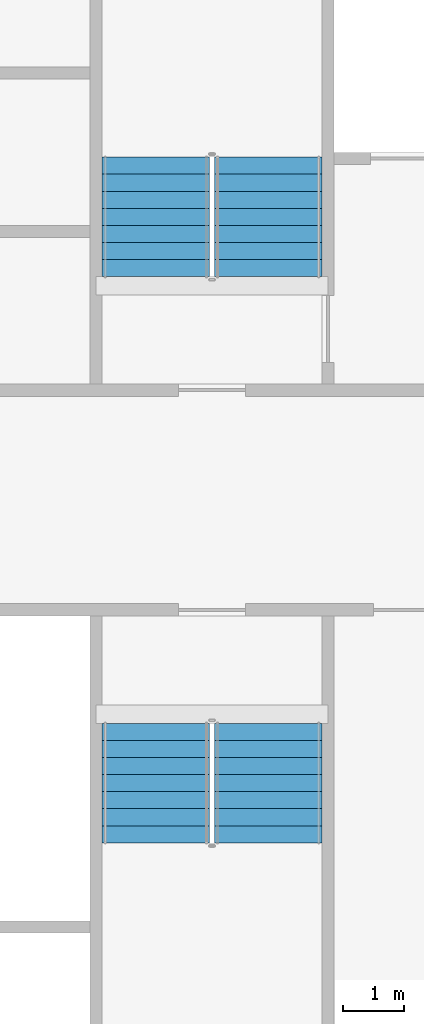
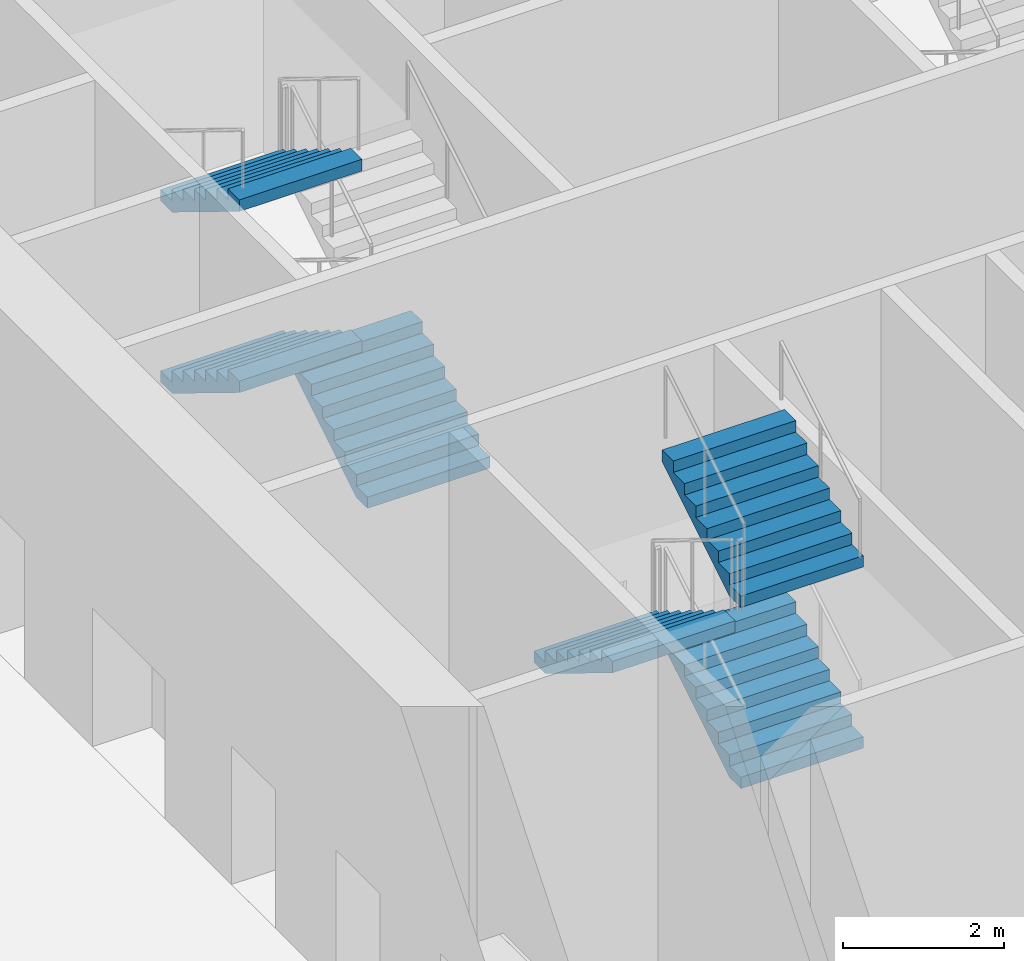
# One storey, part 14 of 23: 6 stair flights, 2 elements without a shape of their own.
"""IFC4 building model written with IfcOpenShell, lengths in metres."""

from ifc_helpers import new_model, si_unit, direction, frame, origin, place, context, subcontext, project, spatial, faceted_brep, material, type_object, element, aggregate, save


model = new_model("IFC4")

# Units and contexts
model_context = context("Model", 3, precision=1e-05, world=origin(), true_north=direction((0.0, 1.0)))
body_context = subcontext(model_context, "Body", "Model", "MODEL_VIEW")
ifc_project = project(units=[si_unit("LENGTHUNIT", "METRE"), si_unit("AREAUNIT", "SQUARE_METRE"), si_unit("VOLUMEUNIT", "CUBIC_METRE"), si_unit("PLANEANGLEUNIT", "RADIAN"), si_unit("MASSUNIT", "GRAM", prefix="KILO")], contexts=[model_context])

# Site, building, storey
site_placement = place(None, origin())
site = spatial("IfcSite", under=ifc_project, at=site_placement, CompositionType="ELEMENT")
building_placement = place(site_placement, origin())
building = spatial("IfcBuilding", under=site, at=building_placement, Name="Tarsis Ring Headquarters", CompositionType="ELEMENT")
storey_placement = place(building_placement, frame((0.0, 0.0, 19.5)))
storey = spatial("IfcBuildingStorey", under=building, at=storey_placement, Name="L03", CompositionType="ELEMENT", Elevation=19.5)

# Stair, stair flights
ifc_material_1 = material(Name="Core stair 1760")
stair_type = type_object("IfcStairType", Name="Core stair 1760", PredefinedType="HALF_TURN_STAIR", material=ifc_material_1)
stair_1_placement = place(storey_placement, origin())
stair_1 = element("IfcStair", 1, at=stair_1_placement, inside=storey, type_object=stair_type, Name="L03 Firefighting stair", PredefinedType="HALF_TURN_STAIR")
ifc_material_2 = material(Name="Concrete C40/50", Category="concrete")
stair_flight_type = type_object("IfcStairFlightType", Name="Core stair flight 1760", PredefinedType="STRAIGHT", material=ifc_material_2)
stair_flight_1_placement = place(storey_placement, frame((-3.580078125, 3.659912109375, 0.0), z_axis=(0.0, 0.0, 1.0), x_axis=(0.0, 1.0, 0.0)))
stair_flight_1 = element("IfcStairFlight", 2, at=stair_flight_1_placement, type_object=stair_flight_type, Name="Stair ST1 flight 1", NumberOfRisers=8, NumberOfTreads=7, PredefinedType="STRAIGHT", RiserHeight=0.171875, TreadLength=0.28, context=body_context, shape_type="Brep", body=[
    faceted_brep([(0.0, 0.8798828125, 0.0), (0.0, 0.8798828125, 0.171875), (0.280029296875, 0.8798828125, 0.171875), (0.280029296875, 0.8798828125, 0.34375), (0.56005859375, 0.8798828125, 0.34375), (0.56005859375, 0.8798828125, 0.515625), (0.840087890625, 0.8798828125, 0.515625), (0.840087890625, 0.8798828125, 0.6875), (1.1201171875, 0.8798828125, 0.6875), (1.1201171875, 0.8798828125, 0.859375), (1.39990234375, 0.8798828125, 0.859375), (1.39990234375, 0.8798828125, 1.03125), (1.679931640625, 0.8798828125, 1.03125), (1.679931640625, 0.8798828125, 1.203125), (1.9599609375, 0.8798828125, 1.203125), (1.9599609375, 0.8798828125, 1.02734375), (0.28662109375, 0.8798828125, 0.0), (0.28662109375, -0.8798828125, 0.0), (1.9599609375, -0.8798828125, 1.02734375), (1.9599609375, -0.8798828125, 1.203125), (1.679931640625, -0.8798828125, 1.203125), (1.679931640625, -0.8798828125, 1.03125), (1.39990234375, -0.8798828125, 1.03125), (1.39990234375, -0.8798828125, 0.859375), (1.1201171875, -0.8798828125, 0.859375), (1.1201171875, -0.8798828125, 0.6875), (0.840087890625, -0.8798828125, 0.6875), (0.840087890625, -0.8798828125, 0.515625), (0.56005859375, -0.8798828125, 0.515625), (0.56005859375, -0.8798828125, 0.34375), (0.280029296875, -0.8798828125, 0.34375), (0.280029296875, -0.8798828125, 0.171875), (0.0, -0.8798828125, 0.171875), (0.0, -0.8798828125, 0.0), (0.0, -0.43994140625, 0.171875), (0.0, -0.43994140625, 0.0), (0.0, 0.0, 0.171875), (0.0, 0.0, 0.0), (0.0, 0.43994140625, 0.171875), (0.0, 0.43994140625, 0.0), (0.280029296875, -0.43994140625, 0.171875), (0.280029296875, 0.0, 0.171875), (0.280029296875, 0.43994140625, 0.171875), (0.280029296875, -0.43994140625, 0.34375), (0.280029296875, 0.0, 0.34375), (0.280029296875, 0.43994140625, 0.34375), (0.56005859375, -0.43994140625, 0.34375), (0.56005859375, 0.0, 0.34375), (0.56005859375, 0.43994140625, 0.34375), (0.56005859375, -0.43994140625, 0.515625), (0.56005859375, 0.0, 0.515625), (0.56005859375, 0.43994140625, 0.515625), (0.840087890625, -0.43994140625, 0.515625), (0.840087890625, 0.0, 0.515625), (0.840087890625, 0.43994140625, 0.515625), (0.840087890625, -0.43994140625, 0.6875), (0.840087890625, 0.0, 0.6875), (0.840087890625, 0.43994140625, 0.6875), (1.1201171875, -0.43994140625, 0.6875), (1.1201171875, 0.0, 0.6875), (1.1201171875, 0.43994140625, 0.6875), (1.1201171875, -0.43994140625, 0.859375), (1.1201171875, 0.0, 0.859375), (1.1201171875, 0.43994140625, 0.859375), (1.39990234375, -0.43994140625, 0.859375), (1.39990234375, 0.0, 0.859375), (1.39990234375, 0.43994140625, 0.859375), (1.39990234375, -0.43994140625, 1.03125), (1.39990234375, 0.0, 1.03125), (1.39990234375, 0.43994140625, 1.03125), (1.679931640625, -0.43994140625, 1.03125), (1.679931640625, 0.0, 1.03125), (1.679931640625, 0.43994140625, 1.03125), (1.679931640625, -0.43994140625, 1.203125), (1.679931640625, 0.0, 1.203125), (1.679931640625, 0.43994140625, 1.203125), (1.9599609375, -0.43994140625, 1.203125), (1.9599609375, 0.0, 1.203125), (1.9599609375, 0.43994140625, 1.203125), (1.9599609375, -0.43994140625, 1.02734375), (1.9599609375, 0.0, 1.02734375), (1.9599609375, 0.43994140625, 1.02734375), (0.28662109375, -0.43994140625, 0.0), (0.28662109375, 0.0, 0.0), (0.28662109375, 0.43994140625, 0.0)], [[[0, 1, 2, 3, 4, 5, 6, 7, 8, 9, 10, 11, 12, 13, 14, 15, 16]], [[17, 18, 19, 20, 21, 22, 23, 24, 25, 26, 27, 28, 29, 30, 31, 32, 33]], [[33, 32, 34, 35]], [[35, 34, 36, 37]], [[37, 36, 38, 39]], [[39, 38, 1, 0]], [[32, 31, 40, 34]], [[34, 40, 41, 36]], [[36, 41, 42, 38]], [[38, 42, 2, 1]], [[31, 30, 43, 40]], [[40, 43, 44, 41]], [[41, 44, 45, 42]], [[42, 45, 3, 2]], [[30, 29, 46, 43]], [[43, 46, 47, 44]], [[44, 47, 48, 45]], [[45, 48, 4, 3]], [[29, 28, 49, 46]], [[46, 49, 50, 47]], [[47, 50, 51, 48]], [[48, 51, 5, 4]], [[28, 27, 52, 49]], [[49, 52, 53, 50]], [[50, 53, 54, 51]], [[51, 54, 6, 5]], [[27, 26, 55, 52]], [[52, 55, 56, 53]], [[53, 56, 57, 54]], [[54, 57, 7, 6]], [[26, 25, 58, 55]], [[55, 58, 59, 56]], [[56, 59, 60, 57]], [[57, 60, 8, 7]], [[25, 24, 61, 58]], [[58, 61, 62, 59]], [[59, 62, 63, 60]], [[60, 63, 9, 8]], [[24, 23, 64, 61]], [[61, 64, 65, 62]], [[62, 65, 66, 63]], [[63, 66, 10, 9]], [[23, 22, 67, 64]], [[64, 67, 68, 65]], [[65, 68, 69, 66]], [[66, 69, 11, 10]], [[22, 21, 70, 67]], [[67, 70, 71, 68]], [[68, 71, 72, 69]], [[69, 72, 12, 11]], [[21, 20, 73, 70]], [[70, 73, 74, 71]], [[71, 74, 75, 72]], [[72, 75, 13, 12]], [[20, 19, 76, 73]], [[73, 76, 77, 74]], [[74, 77, 78, 75]], [[75, 78, 14, 13]], [[19, 18, 79, 76]], [[76, 79, 80, 77]], [[77, 80, 81, 78]], [[78, 81, 15, 14]], [[18, 17, 82, 79]], [[79, 82, 83, 80]], [[80, 83, 84, 81]], [[81, 84, 16, 15]], [[17, 33, 35, 82]], [[82, 35, 37, 83]], [[83, 37, 39, 84]], [[84, 39, 0, 16]]]),
])
stair_flight_2_placement = place(storey_placement, frame((-5.419921875, 5.6201171875, 1.375), z_axis=(0.0, 0.0, 1.0), x_axis=(0.0, -1.0, 0.0)))
stair_flight_2 = element("IfcStairFlight", 3, at=stair_flight_2_placement, type_object=stair_flight_type, Name="Stair ST1 flight 2", NumberOfRisers=8, NumberOfTreads=7, PredefinedType="STRAIGHT", RiserHeight=0.171875, TreadLength=0.28, context=body_context, shape_type="Brep", body=[
    faceted_brep([(0.0, 0.8798828125, 0.0), (0.0, 0.8798828125, 0.171875), (0.280029296875, 0.8798828125, 0.171875), (0.280029296875, 0.8798828125, 0.34375), (0.56005859375, 0.8798828125, 0.34375), (0.56005859375, 0.8798828125, 0.515625), (0.840087890625, 0.8798828125, 0.515625), (0.840087890625, 0.8798828125, 0.6875), (1.1201171875, 0.8798828125, 0.6875), (1.1201171875, 0.8798828125, 0.859375), (1.39990234375, 0.8798828125, 0.859375), (1.39990234375, 0.8798828125, 1.03125), (1.679931640625, 0.8798828125, 1.03125), (1.679931640625, 0.8798828125, 1.203125), (1.9599609375, 0.8798828125, 1.203125), (1.9599609375, 0.8798828125, 1.02734375), (0.28662109375, 0.8798828125, 0.0), (0.28662109375, -0.8798828125, 0.0), (1.9599609375, -0.8798828125, 1.02734375), (1.9599609375, -0.8798828125, 1.203125), (1.679931640625, -0.8798828125, 1.203125), (1.679931640625, -0.8798828125, 1.03125), (1.39990234375, -0.8798828125, 1.03125), (1.39990234375, -0.8798828125, 0.859375), (1.1201171875, -0.8798828125, 0.859375), (1.1201171875, -0.8798828125, 0.6875), (0.840087890625, -0.8798828125, 0.6875), (0.840087890625, -0.8798828125, 0.515625), (0.56005859375, -0.8798828125, 0.515625), (0.56005859375, -0.8798828125, 0.34375), (0.280029296875, -0.8798828125, 0.34375), (0.280029296875, -0.8798828125, 0.171875), (0.0, -0.8798828125, 0.171875), (0.0, -0.8798828125, 0.0), (0.0, -0.43994140625, 0.171875), (0.0, -0.43994140625, 0.0), (0.0, 0.0, 0.171875), (0.0, 0.0, 0.0), (0.0, 0.43994140625, 0.171875), (0.0, 0.43994140625, 0.0), (0.280029296875, -0.43994140625, 0.171875), (0.280029296875, 0.0, 0.171875), (0.280029296875, 0.43994140625, 0.171875), (0.280029296875, -0.43994140625, 0.34375), (0.280029296875, 0.0, 0.34375), (0.280029296875, 0.43994140625, 0.34375), (0.56005859375, -0.43994140625, 0.34375), (0.56005859375, 0.0, 0.34375), (0.56005859375, 0.43994140625, 0.34375), (0.56005859375, -0.43994140625, 0.515625), (0.56005859375, 0.0, 0.515625), (0.56005859375, 0.43994140625, 0.515625), (0.840087890625, -0.43994140625, 0.515625), (0.840087890625, 0.0, 0.515625), (0.840087890625, 0.43994140625, 0.515625), (0.840087890625, -0.43994140625, 0.6875), (0.840087890625, 0.0, 0.6875), (0.840087890625, 0.43994140625, 0.6875), (1.1201171875, -0.43994140625, 0.6875), (1.1201171875, 0.0, 0.6875), (1.1201171875, 0.43994140625, 0.6875), (1.1201171875, -0.43994140625, 0.859375), (1.1201171875, 0.0, 0.859375), (1.1201171875, 0.43994140625, 0.859375), (1.39990234375, -0.43994140625, 0.859375), (1.39990234375, 0.0, 0.859375), (1.39990234375, 0.43994140625, 0.859375), (1.39990234375, -0.43994140625, 1.03125), (1.39990234375, 0.0, 1.03125), (1.39990234375, 0.43994140625, 1.03125), (1.679931640625, -0.43994140625, 1.03125), (1.679931640625, 0.0, 1.03125), (1.679931640625, 0.43994140625, 1.03125), (1.679931640625, -0.43994140625, 1.203125), (1.679931640625, 0.0, 1.203125), (1.679931640625, 0.43994140625, 1.203125), (1.9599609375, -0.43994140625, 1.203125), (1.9599609375, 0.0, 1.203125), (1.9599609375, 0.43994140625, 1.203125), (1.9599609375, -0.43994140625, 1.02734375), (1.9599609375, 0.0, 1.02734375), (1.9599609375, 0.43994140625, 1.02734375), (0.28662109375, -0.43994140625, 0.0), (0.28662109375, 0.0, 0.0), (0.28662109375, 0.43994140625, 0.0)], [[[0, 1, 2, 3, 4, 5, 6, 7, 8, 9, 10, 11, 12, 13, 14, 15, 16]], [[17, 18, 19, 20, 21, 22, 23, 24, 25, 26, 27, 28, 29, 30, 31, 32, 33]], [[33, 32, 34, 35]], [[35, 34, 36, 37]], [[37, 36, 38, 39]], [[39, 38, 1, 0]], [[32, 31, 40, 34]], [[34, 40, 41, 36]], [[36, 41, 42, 38]], [[38, 42, 2, 1]], [[31, 30, 43, 40]], [[40, 43, 44, 41]], [[41, 44, 45, 42]], [[42, 45, 3, 2]], [[30, 29, 46, 43]], [[43, 46, 47, 44]], [[44, 47, 48, 45]], [[45, 48, 4, 3]], [[29, 28, 49, 46]], [[46, 49, 50, 47]], [[47, 50, 51, 48]], [[48, 51, 5, 4]], [[28, 27, 52, 49]], [[49, 52, 53, 50]], [[50, 53, 54, 51]], [[51, 54, 6, 5]], [[27, 26, 55, 52]], [[52, 55, 56, 53]], [[53, 56, 57, 54]], [[54, 57, 7, 6]], [[26, 25, 58, 55]], [[55, 58, 59, 56]], [[56, 59, 60, 57]], [[57, 60, 8, 7]], [[25, 24, 61, 58]], [[58, 61, 62, 59]], [[59, 62, 63, 60]], [[60, 63, 9, 8]], [[24, 23, 64, 61]], [[61, 64, 65, 62]], [[62, 65, 66, 63]], [[63, 66, 10, 9]], [[23, 22, 67, 64]], [[64, 67, 68, 65]], [[65, 68, 69, 66]], [[66, 69, 11, 10]], [[22, 21, 70, 67]], [[67, 70, 71, 68]], [[68, 71, 72, 69]], [[69, 72, 12, 11]], [[21, 20, 73, 70]], [[70, 73, 74, 71]], [[71, 74, 75, 72]], [[72, 75, 13, 12]], [[20, 19, 76, 73]], [[73, 76, 77, 74]], [[74, 77, 78, 75]], [[75, 78, 14, 13]], [[19, 18, 79, 76]], [[76, 79, 80, 77]], [[77, 80, 81, 78]], [[78, 81, 15, 14]], [[18, 17, 82, 79]], [[79, 82, 83, 80]], [[80, 83, 84, 81]], [[81, 84, 16, 15]], [[17, 33, 35, 82]], [[82, 35, 37, 83]], [[83, 37, 39, 84]], [[84, 39, 0, 16]]]),
])
stair_flight_3_placement = place(storey_placement, frame((-5.419921875, 5.6201171875, 4.125), z_axis=(0.0, 0.0, 1.0), x_axis=(0.0, -1.0, 0.0)))
stair_flight_3 = element("IfcStairFlight", 4, at=stair_flight_3_placement, type_object=stair_flight_type, Name="Stair ST1 flight 4", NumberOfRisers=8, NumberOfTreads=7, PredefinedType="STRAIGHT", RiserHeight=0.171875, TreadLength=0.28, context=body_context, shape_type="Brep", body=[
    faceted_brep([(0.0, 0.8798828125, 0.0), (0.0, 0.8798828125, 0.171875), (0.280029296875, 0.8798828125, 0.171875), (0.280029296875, 0.8798828125, 0.34375), (0.56005859375, 0.8798828125, 0.34375), (0.56005859375, 0.8798828125, 0.515625), (0.840087890625, 0.8798828125, 0.515625), (0.840087890625, 0.8798828125, 0.6875), (1.1201171875, 0.8798828125, 0.6875), (1.1201171875, 0.8798828125, 0.859375), (1.39990234375, 0.8798828125, 0.859375), (1.39990234375, 0.8798828125, 1.03125), (1.679931640625, 0.8798828125, 1.03125), (1.679931640625, 0.8798828125, 1.203125), (1.9599609375, 0.8798828125, 1.203125), (1.9599609375, 0.8798828125, 1.02734375), (0.28662109375, 0.8798828125, 0.0), (0.28662109375, -0.8798828125, 0.0), (1.9599609375, -0.8798828125, 1.02734375), (1.9599609375, -0.8798828125, 1.203125), (1.679931640625, -0.8798828125, 1.203125), (1.679931640625, -0.8798828125, 1.03125), (1.39990234375, -0.8798828125, 1.03125), (1.39990234375, -0.8798828125, 0.859375), (1.1201171875, -0.8798828125, 0.859375), (1.1201171875, -0.8798828125, 0.6875), (0.840087890625, -0.8798828125, 0.6875), (0.840087890625, -0.8798828125, 0.515625), (0.56005859375, -0.8798828125, 0.515625), (0.56005859375, -0.8798828125, 0.34375), (0.280029296875, -0.8798828125, 0.34375), (0.280029296875, -0.8798828125, 0.171875), (0.0, -0.8798828125, 0.171875), (0.0, -0.8798828125, 0.0), (0.0, -0.43994140625, 0.171875), (0.0, -0.43994140625, 0.0), (0.0, 0.0, 0.171875), (0.0, 0.0, 0.0), (0.0, 0.43994140625, 0.171875), (0.0, 0.43994140625, 0.0), (0.280029296875, -0.43994140625, 0.171875), (0.280029296875, 0.0, 0.171875), (0.280029296875, 0.43994140625, 0.171875), (0.280029296875, -0.43994140625, 0.34375), (0.280029296875, 0.0, 0.34375), (0.280029296875, 0.43994140625, 0.34375), (0.56005859375, -0.43994140625, 0.34375), (0.56005859375, 0.0, 0.34375), (0.56005859375, 0.43994140625, 0.34375), (0.56005859375, -0.43994140625, 0.515625), (0.56005859375, 0.0, 0.515625), (0.56005859375, 0.43994140625, 0.515625), (0.840087890625, -0.43994140625, 0.515625), (0.840087890625, 0.0, 0.515625), (0.840087890625, 0.43994140625, 0.515625), (0.840087890625, -0.43994140625, 0.6875), (0.840087890625, 0.0, 0.6875), (0.840087890625, 0.43994140625, 0.6875), (1.1201171875, -0.43994140625, 0.6875), (1.1201171875, 0.0, 0.6875), (1.1201171875, 0.43994140625, 0.6875), (1.1201171875, -0.43994140625, 0.859375), (1.1201171875, 0.0, 0.859375), (1.1201171875, 0.43994140625, 0.859375), (1.39990234375, -0.43994140625, 0.859375), (1.39990234375, 0.0, 0.859375), (1.39990234375, 0.43994140625, 0.859375), (1.39990234375, -0.43994140625, 1.03125), (1.39990234375, 0.0, 1.03125), (1.39990234375, 0.43994140625, 1.03125), (1.679931640625, -0.43994140625, 1.03125), (1.679931640625, 0.0, 1.03125), (1.679931640625, 0.43994140625, 1.03125), (1.679931640625, -0.43994140625, 1.203125), (1.679931640625, 0.0, 1.203125), (1.679931640625, 0.43994140625, 1.203125), (1.9599609375, -0.43994140625, 1.203125), (1.9599609375, 0.0, 1.203125), (1.9599609375, 0.43994140625, 1.203125), (1.9599609375, -0.43994140625, 1.02734375), (1.9599609375, 0.0, 1.02734375), (1.9599609375, 0.43994140625, 1.02734375), (0.28662109375, -0.43994140625, 0.0), (0.28662109375, 0.0, 0.0), (0.28662109375, 0.43994140625, 0.0)], [[[0, 1, 2, 3, 4, 5, 6, 7, 8, 9, 10, 11, 12, 13, 14, 15, 16]], [[17, 18, 19, 20, 21, 22, 23, 24, 25, 26, 27, 28, 29, 30, 31, 32, 33]], [[33, 32, 34, 35]], [[35, 34, 36, 37]], [[37, 36, 38, 39]], [[39, 38, 1, 0]], [[32, 31, 40, 34]], [[34, 40, 41, 36]], [[36, 41, 42, 38]], [[38, 42, 2, 1]], [[31, 30, 43, 40]], [[40, 43, 44, 41]], [[41, 44, 45, 42]], [[42, 45, 3, 2]], [[30, 29, 46, 43]], [[43, 46, 47, 44]], [[44, 47, 48, 45]], [[45, 48, 4, 3]], [[29, 28, 49, 46]], [[46, 49, 50, 47]], [[47, 50, 51, 48]], [[48, 51, 5, 4]], [[28, 27, 52, 49]], [[49, 52, 53, 50]], [[50, 53, 54, 51]], [[51, 54, 6, 5]], [[27, 26, 55, 52]], [[52, 55, 56, 53]], [[53, 56, 57, 54]], [[54, 57, 7, 6]], [[26, 25, 58, 55]], [[55, 58, 59, 56]], [[56, 59, 60, 57]], [[57, 60, 8, 7]], [[25, 24, 61, 58]], [[58, 61, 62, 59]], [[59, 62, 63, 60]], [[60, 63, 9, 8]], [[24, 23, 64, 61]], [[61, 64, 65, 62]], [[62, 65, 66, 63]], [[63, 66, 10, 9]], [[23, 22, 67, 64]], [[64, 67, 68, 65]], [[65, 68, 69, 66]], [[66, 69, 11, 10]], [[22, 21, 70, 67]], [[67, 70, 71, 68]], [[68, 71, 72, 69]], [[69, 72, 12, 11]], [[21, 20, 73, 70]], [[70, 73, 74, 71]], [[71, 74, 75, 72]], [[72, 75, 13, 12]], [[20, 19, 76, 73]], [[73, 76, 77, 74]], [[74, 77, 78, 75]], [[75, 78, 14, 13]], [[19, 18, 79, 76]], [[76, 79, 80, 77]], [[77, 80, 81, 78]], [[78, 81, 15, 14]], [[18, 17, 82, 79]], [[79, 82, 83, 80]], [[80, 83, 84, 81]], [[81, 84, 16, 15]], [[17, 33, 35, 82]], [[82, 35, 37, 83]], [[83, 37, 39, 84]], [[84, 39, 0, 16]]]),
])
aggregate(stair_1, [stair_flight_1, stair_flight_2, stair_flight_3])

stair_2_placement = place(storey_placement, origin())
stair_2 = element("IfcStair", 5, at=stair_2_placement, inside=storey, type_object=stair_type, Name="L03 Exit stair C", PredefinedType="HALF_TURN_STAIR")
stair_flight_4_placement = place(storey_placement, frame((-3.580078125, -5.6201171875, 1.375), z_axis=(0.0, 0.0, 1.0), x_axis=(0.0, 1.0, 0.0)))
stair_flight_4 = element("IfcStairFlight", 6, at=stair_flight_4_placement, type_object=stair_flight_type, Name="Stair ST3 flight 2", NumberOfRisers=8, NumberOfTreads=7, PredefinedType="STRAIGHT", RiserHeight=0.171875, TreadLength=0.28, context=body_context, shape_type="Brep", body=[
    faceted_brep([(0.0, 0.8798828125, 0.0), (0.0, 0.8798828125, 0.171875), (0.280029296875, 0.8798828125, 0.171875), (0.280029296875, 0.8798828125, 0.34375), (0.56005859375, 0.8798828125, 0.34375), (0.56005859375, 0.8798828125, 0.515625), (0.840087890625, 0.8798828125, 0.515625), (0.840087890625, 0.8798828125, 0.6875), (1.1201171875, 0.8798828125, 0.6875), (1.1201171875, 0.8798828125, 0.859375), (1.39990234375, 0.8798828125, 0.859375), (1.39990234375, 0.8798828125, 1.03125), (1.679931640625, 0.8798828125, 1.03125), (1.679931640625, 0.8798828125, 1.203125), (1.9599609375, 0.8798828125, 1.203125), (1.9599609375, 0.8798828125, 1.02734375), (0.28662109375, 0.8798828125, 0.0), (0.28662109375, -0.8798828125, 0.0), (1.9599609375, -0.8798828125, 1.02734375), (1.9599609375, -0.8798828125, 1.203125), (1.679931640625, -0.8798828125, 1.203125), (1.679931640625, -0.8798828125, 1.03125), (1.39990234375, -0.8798828125, 1.03125), (1.39990234375, -0.8798828125, 0.859375), (1.1201171875, -0.8798828125, 0.859375), (1.1201171875, -0.8798828125, 0.6875), (0.840087890625, -0.8798828125, 0.6875), (0.840087890625, -0.8798828125, 0.515625), (0.56005859375, -0.8798828125, 0.515625), (0.56005859375, -0.8798828125, 0.34375), (0.280029296875, -0.8798828125, 0.34375), (0.280029296875, -0.8798828125, 0.171875), (0.0, -0.8798828125, 0.171875), (0.0, -0.8798828125, 0.0), (0.0, -0.43994140625, 0.171875), (0.0, -0.43994140625, 0.0), (0.0, 0.0, 0.171875), (0.0, 0.0, 0.0), (0.0, 0.43994140625, 0.171875), (0.0, 0.43994140625, 0.0), (0.280029296875, -0.43994140625, 0.171875), (0.280029296875, 0.0, 0.171875), (0.280029296875, 0.43994140625, 0.171875), (0.280029296875, -0.43994140625, 0.34375), (0.280029296875, 0.0, 0.34375), (0.280029296875, 0.43994140625, 0.34375), (0.56005859375, -0.43994140625, 0.34375), (0.56005859375, 0.0, 0.34375), (0.56005859375, 0.43994140625, 0.34375), (0.56005859375, -0.43994140625, 0.515625), (0.56005859375, 0.0, 0.515625), (0.56005859375, 0.43994140625, 0.515625), (0.840087890625, -0.43994140625, 0.515625), (0.840087890625, 0.0, 0.515625), (0.840087890625, 0.43994140625, 0.515625), (0.840087890625, -0.43994140625, 0.6875), (0.840087890625, 0.0, 0.6875), (0.840087890625, 0.43994140625, 0.6875), (1.1201171875, -0.43994140625, 0.6875), (1.1201171875, 0.0, 0.6875), (1.1201171875, 0.43994140625, 0.6875), (1.1201171875, -0.43994140625, 0.859375), (1.1201171875, 0.0, 0.859375), (1.1201171875, 0.43994140625, 0.859375), (1.39990234375, -0.43994140625, 0.859375), (1.39990234375, 0.0, 0.859375), (1.39990234375, 0.43994140625, 0.859375), (1.39990234375, -0.43994140625, 1.03125), (1.39990234375, 0.0, 1.03125), (1.39990234375, 0.43994140625, 1.03125), (1.679931640625, -0.43994140625, 1.03125), (1.679931640625, 0.0, 1.03125), (1.679931640625, 0.43994140625, 1.03125), (1.679931640625, -0.43994140625, 1.203125), (1.679931640625, 0.0, 1.203125), (1.679931640625, 0.43994140625, 1.203125), (1.9599609375, -0.43994140625, 1.203125), (1.9599609375, 0.0, 1.203125), (1.9599609375, 0.43994140625, 1.203125), (1.9599609375, -0.43994140625, 1.02734375), (1.9599609375, 0.0, 1.02734375), (1.9599609375, 0.43994140625, 1.02734375), (0.28662109375, -0.43994140625, 0.0), (0.28662109375, 0.0, 0.0), (0.28662109375, 0.43994140625, 0.0)], [[[0, 1, 2, 3, 4, 5, 6, 7, 8, 9, 10, 11, 12, 13, 14, 15, 16]], [[17, 18, 19, 20, 21, 22, 23, 24, 25, 26, 27, 28, 29, 30, 31, 32, 33]], [[33, 32, 34, 35]], [[35, 34, 36, 37]], [[37, 36, 38, 39]], [[39, 38, 1, 0]], [[32, 31, 40, 34]], [[34, 40, 41, 36]], [[36, 41, 42, 38]], [[38, 42, 2, 1]], [[31, 30, 43, 40]], [[40, 43, 44, 41]], [[41, 44, 45, 42]], [[42, 45, 3, 2]], [[30, 29, 46, 43]], [[43, 46, 47, 44]], [[44, 47, 48, 45]], [[45, 48, 4, 3]], [[29, 28, 49, 46]], [[46, 49, 50, 47]], [[47, 50, 51, 48]], [[48, 51, 5, 4]], [[28, 27, 52, 49]], [[49, 52, 53, 50]], [[50, 53, 54, 51]], [[51, 54, 6, 5]], [[27, 26, 55, 52]], [[52, 55, 56, 53]], [[53, 56, 57, 54]], [[54, 57, 7, 6]], [[26, 25, 58, 55]], [[55, 58, 59, 56]], [[56, 59, 60, 57]], [[57, 60, 8, 7]], [[25, 24, 61, 58]], [[58, 61, 62, 59]], [[59, 62, 63, 60]], [[60, 63, 9, 8]], [[24, 23, 64, 61]], [[61, 64, 65, 62]], [[62, 65, 66, 63]], [[63, 66, 10, 9]], [[23, 22, 67, 64]], [[64, 67, 68, 65]], [[65, 68, 69, 66]], [[66, 69, 11, 10]], [[22, 21, 70, 67]], [[67, 70, 71, 68]], [[68, 71, 72, 69]], [[69, 72, 12, 11]], [[21, 20, 73, 70]], [[70, 73, 74, 71]], [[71, 74, 75, 72]], [[72, 75, 13, 12]], [[20, 19, 76, 73]], [[73, 76, 77, 74]], [[74, 77, 78, 75]], [[75, 78, 14, 13]], [[19, 18, 79, 76]], [[76, 79, 80, 77]], [[77, 80, 81, 78]], [[78, 81, 15, 14]], [[18, 17, 82, 79]], [[79, 82, 83, 80]], [[80, 83, 84, 81]], [[81, 84, 16, 15]], [[17, 33, 35, 82]], [[82, 35, 37, 83]], [[83, 37, 39, 84]], [[84, 39, 0, 16]]]),
])
stair_flight_5_placement = place(storey_placement, frame((-5.419921875, -3.659912109375, 2.75), z_axis=(0.0, 0.0, 1.0), x_axis=(0.0, -1.0, 0.0)))
stair_flight_5 = element("IfcStairFlight", 7, at=stair_flight_5_placement, type_object=stair_flight_type, Name="Stair ST3 flight 3", NumberOfRisers=8, NumberOfTreads=7, PredefinedType="STRAIGHT", RiserHeight=0.171875, TreadLength=0.28, context=body_context, shape_type="Brep", body=[
    faceted_brep([(0.0, 0.8798828125, 0.0), (0.0, 0.8798828125, 0.171875), (0.280029296875, 0.8798828125, 0.171875), (0.280029296875, 0.8798828125, 0.34375), (0.56005859375, 0.8798828125, 0.34375), (0.56005859375, 0.8798828125, 0.515625), (0.840087890625, 0.8798828125, 0.515625), (0.840087890625, 0.8798828125, 0.6875), (1.1201171875, 0.8798828125, 0.6875), (1.1201171875, 0.8798828125, 0.859375), (1.39990234375, 0.8798828125, 0.859375), (1.39990234375, 0.8798828125, 1.03125), (1.679931640625, 0.8798828125, 1.03125), (1.679931640625, 0.8798828125, 1.203125), (1.9599609375, 0.8798828125, 1.203125), (1.9599609375, 0.8798828125, 1.02734375), (0.28662109375, 0.8798828125, 0.0), (0.28662109375, -0.8798828125, 0.0), (1.9599609375, -0.8798828125, 1.02734375), (1.9599609375, -0.8798828125, 1.203125), (1.679931640625, -0.8798828125, 1.203125), (1.679931640625, -0.8798828125, 1.03125), (1.39990234375, -0.8798828125, 1.03125), (1.39990234375, -0.8798828125, 0.859375), (1.1201171875, -0.8798828125, 0.859375), (1.1201171875, -0.8798828125, 0.6875), (0.840087890625, -0.8798828125, 0.6875), (0.840087890625, -0.8798828125, 0.515625), (0.56005859375, -0.8798828125, 0.515625), (0.56005859375, -0.8798828125, 0.34375), (0.280029296875, -0.8798828125, 0.34375), (0.280029296875, -0.8798828125, 0.171875), (0.0, -0.8798828125, 0.171875), (0.0, -0.8798828125, 0.0), (0.0, -0.43994140625, 0.171875), (0.0, -0.43994140625, 0.0), (0.0, 0.0, 0.171875), (0.0, 0.0, 0.0), (0.0, 0.43994140625, 0.171875), (0.0, 0.43994140625, 0.0), (0.280029296875, -0.43994140625, 0.171875), (0.280029296875, 0.0, 0.171875), (0.280029296875, 0.43994140625, 0.171875), (0.280029296875, -0.43994140625, 0.34375), (0.280029296875, 0.0, 0.34375), (0.280029296875, 0.43994140625, 0.34375), (0.56005859375, -0.43994140625, 0.34375), (0.56005859375, 0.0, 0.34375), (0.56005859375, 0.43994140625, 0.34375), (0.56005859375, -0.43994140625, 0.515625), (0.56005859375, 0.0, 0.515625), (0.56005859375, 0.43994140625, 0.515625), (0.840087890625, -0.43994140625, 0.515625), (0.840087890625, 0.0, 0.515625), (0.840087890625, 0.43994140625, 0.515625), (0.840087890625, -0.43994140625, 0.6875), (0.840087890625, 0.0, 0.6875), (0.840087890625, 0.43994140625, 0.6875), (1.1201171875, -0.43994140625, 0.6875), (1.1201171875, 0.0, 0.6875), (1.1201171875, 0.43994140625, 0.6875), (1.1201171875, -0.43994140625, 0.859375), (1.1201171875, 0.0, 0.859375), (1.1201171875, 0.43994140625, 0.859375), (1.39990234375, -0.43994140625, 0.859375), (1.39990234375, 0.0, 0.859375), (1.39990234375, 0.43994140625, 0.859375), (1.39990234375, -0.43994140625, 1.03125), (1.39990234375, 0.0, 1.03125), (1.39990234375, 0.43994140625, 1.03125), (1.679931640625, -0.43994140625, 1.03125), (1.679931640625, 0.0, 1.03125), (1.679931640625, 0.43994140625, 1.03125), (1.679931640625, -0.43994140625, 1.203125), (1.679931640625, 0.0, 1.203125), (1.679931640625, 0.43994140625, 1.203125), (1.9599609375, -0.43994140625, 1.203125), (1.9599609375, 0.0, 1.203125), (1.9599609375, 0.43994140625, 1.203125), (1.9599609375, -0.43994140625, 1.02734375), (1.9599609375, 0.0, 1.02734375), (1.9599609375, 0.43994140625, 1.02734375), (0.28662109375, -0.43994140625, 0.0), (0.28662109375, 0.0, 0.0), (0.28662109375, 0.43994140625, 0.0)], [[[0, 1, 2, 3, 4, 5, 6, 7, 8, 9, 10, 11, 12, 13, 14, 15, 16]], [[17, 18, 19, 20, 21, 22, 23, 24, 25, 26, 27, 28, 29, 30, 31, 32, 33]], [[33, 32, 34, 35]], [[35, 34, 36, 37]], [[37, 36, 38, 39]], [[39, 38, 1, 0]], [[32, 31, 40, 34]], [[34, 40, 41, 36]], [[36, 41, 42, 38]], [[38, 42, 2, 1]], [[31, 30, 43, 40]], [[40, 43, 44, 41]], [[41, 44, 45, 42]], [[42, 45, 3, 2]], [[30, 29, 46, 43]], [[43, 46, 47, 44]], [[44, 47, 48, 45]], [[45, 48, 4, 3]], [[29, 28, 49, 46]], [[46, 49, 50, 47]], [[47, 50, 51, 48]], [[48, 51, 5, 4]], [[28, 27, 52, 49]], [[49, 52, 53, 50]], [[50, 53, 54, 51]], [[51, 54, 6, 5]], [[27, 26, 55, 52]], [[52, 55, 56, 53]], [[53, 56, 57, 54]], [[54, 57, 7, 6]], [[26, 25, 58, 55]], [[55, 58, 59, 56]], [[56, 59, 60, 57]], [[57, 60, 8, 7]], [[25, 24, 61, 58]], [[58, 61, 62, 59]], [[59, 62, 63, 60]], [[60, 63, 9, 8]], [[24, 23, 64, 61]], [[61, 64, 65, 62]], [[62, 65, 66, 63]], [[63, 66, 10, 9]], [[23, 22, 67, 64]], [[64, 67, 68, 65]], [[65, 68, 69, 66]], [[66, 69, 11, 10]], [[22, 21, 70, 67]], [[67, 70, 71, 68]], [[68, 71, 72, 69]], [[69, 72, 12, 11]], [[21, 20, 73, 70]], [[70, 73, 74, 71]], [[71, 74, 75, 72]], [[72, 75, 13, 12]], [[20, 19, 76, 73]], [[73, 76, 77, 74]], [[74, 77, 78, 75]], [[75, 78, 14, 13]], [[19, 18, 79, 76]], [[76, 79, 80, 77]], [[77, 80, 81, 78]], [[78, 81, 15, 14]], [[18, 17, 82, 79]], [[79, 82, 83, 80]], [[80, 83, 84, 81]], [[81, 84, 16, 15]], [[17, 33, 35, 82]], [[82, 35, 37, 83]], [[83, 37, 39, 84]], [[84, 39, 0, 16]]]),
])
stair_flight_6_placement = place(storey_placement, frame((-3.580078125, -5.6201171875, 4.125), z_axis=(0.0, 0.0, 1.0), x_axis=(0.0, 1.0, 0.0)))
stair_flight_6 = element("IfcStairFlight", 8, at=stair_flight_6_placement, type_object=stair_flight_type, Name="Stair ST3 flight 4", NumberOfRisers=8, NumberOfTreads=7, PredefinedType="STRAIGHT", RiserHeight=0.171875, TreadLength=0.28, context=body_context, shape_type="Brep", body=[
    faceted_brep([(0.0, 0.8798828125, 0.0), (0.0, 0.8798828125, 0.171875), (0.280029296875, 0.8798828125, 0.171875), (0.280029296875, 0.8798828125, 0.34375), (0.56005859375, 0.8798828125, 0.34375), (0.56005859375, 0.8798828125, 0.515625), (0.840087890625, 0.8798828125, 0.515625), (0.840087890625, 0.8798828125, 0.6875), (1.1201171875, 0.8798828125, 0.6875), (1.1201171875, 0.8798828125, 0.859375), (1.39990234375, 0.8798828125, 0.859375), (1.39990234375, 0.8798828125, 1.03125), (1.679931640625, 0.8798828125, 1.03125), (1.679931640625, 0.8798828125, 1.203125), (1.9599609375, 0.8798828125, 1.203125), (1.9599609375, 0.8798828125, 1.02734375), (0.28662109375, 0.8798828125, 0.0), (0.28662109375, -0.8798828125, 0.0), (1.9599609375, -0.8798828125, 1.02734375), (1.9599609375, -0.8798828125, 1.203125), (1.679931640625, -0.8798828125, 1.203125), (1.679931640625, -0.8798828125, 1.03125), (1.39990234375, -0.8798828125, 1.03125), (1.39990234375, -0.8798828125, 0.859375), (1.1201171875, -0.8798828125, 0.859375), (1.1201171875, -0.8798828125, 0.6875), (0.840087890625, -0.8798828125, 0.6875), (0.840087890625, -0.8798828125, 0.515625), (0.56005859375, -0.8798828125, 0.515625), (0.56005859375, -0.8798828125, 0.34375), (0.280029296875, -0.8798828125, 0.34375), (0.280029296875, -0.8798828125, 0.171875), (0.0, -0.8798828125, 0.171875), (0.0, -0.8798828125, 0.0), (0.0, -0.43994140625, 0.171875), (0.0, -0.43994140625, 0.0), (0.0, 0.0, 0.171875), (0.0, 0.0, 0.0), (0.0, 0.43994140625, 0.171875), (0.0, 0.43994140625, 0.0), (0.280029296875, -0.43994140625, 0.171875), (0.280029296875, 0.0, 0.171875), (0.280029296875, 0.43994140625, 0.171875), (0.280029296875, -0.43994140625, 0.34375), (0.280029296875, 0.0, 0.34375), (0.280029296875, 0.43994140625, 0.34375), (0.56005859375, -0.43994140625, 0.34375), (0.56005859375, 0.0, 0.34375), (0.56005859375, 0.43994140625, 0.34375), (0.56005859375, -0.43994140625, 0.515625), (0.56005859375, 0.0, 0.515625), (0.56005859375, 0.43994140625, 0.515625), (0.840087890625, -0.43994140625, 0.515625), (0.840087890625, 0.0, 0.515625), (0.840087890625, 0.43994140625, 0.515625), (0.840087890625, -0.43994140625, 0.6875), (0.840087890625, 0.0, 0.6875), (0.840087890625, 0.43994140625, 0.6875), (1.1201171875, -0.43994140625, 0.6875), (1.1201171875, 0.0, 0.6875), (1.1201171875, 0.43994140625, 0.6875), (1.1201171875, -0.43994140625, 0.859375), (1.1201171875, 0.0, 0.859375), (1.1201171875, 0.43994140625, 0.859375), (1.39990234375, -0.43994140625, 0.859375), (1.39990234375, 0.0, 0.859375), (1.39990234375, 0.43994140625, 0.859375), (1.39990234375, -0.43994140625, 1.03125), (1.39990234375, 0.0, 1.03125), (1.39990234375, 0.43994140625, 1.03125), (1.679931640625, -0.43994140625, 1.03125), (1.679931640625, 0.0, 1.03125), (1.679931640625, 0.43994140625, 1.03125), (1.679931640625, -0.43994140625, 1.203125), (1.679931640625, 0.0, 1.203125), (1.679931640625, 0.43994140625, 1.203125), (1.9599609375, -0.43994140625, 1.203125), (1.9599609375, 0.0, 1.203125), (1.9599609375, 0.43994140625, 1.203125), (1.9599609375, -0.43994140625, 1.02734375), (1.9599609375, 0.0, 1.02734375), (1.9599609375, 0.43994140625, 1.02734375), (0.28662109375, -0.43994140625, 0.0), (0.28662109375, 0.0, 0.0), (0.28662109375, 0.43994140625, 0.0)], [[[0, 1, 2, 3, 4, 5, 6, 7, 8, 9, 10, 11, 12, 13, 14, 15, 16]], [[17, 18, 19, 20, 21, 22, 23, 24, 25, 26, 27, 28, 29, 30, 31, 32, 33]], [[33, 32, 34, 35]], [[35, 34, 36, 37]], [[37, 36, 38, 39]], [[39, 38, 1, 0]], [[32, 31, 40, 34]], [[34, 40, 41, 36]], [[36, 41, 42, 38]], [[38, 42, 2, 1]], [[31, 30, 43, 40]], [[40, 43, 44, 41]], [[41, 44, 45, 42]], [[42, 45, 3, 2]], [[30, 29, 46, 43]], [[43, 46, 47, 44]], [[44, 47, 48, 45]], [[45, 48, 4, 3]], [[29, 28, 49, 46]], [[46, 49, 50, 47]], [[47, 50, 51, 48]], [[48, 51, 5, 4]], [[28, 27, 52, 49]], [[49, 52, 53, 50]], [[50, 53, 54, 51]], [[51, 54, 6, 5]], [[27, 26, 55, 52]], [[52, 55, 56, 53]], [[53, 56, 57, 54]], [[54, 57, 7, 6]], [[26, 25, 58, 55]], [[55, 58, 59, 56]], [[56, 59, 60, 57]], [[57, 60, 8, 7]], [[25, 24, 61, 58]], [[58, 61, 62, 59]], [[59, 62, 63, 60]], [[60, 63, 9, 8]], [[24, 23, 64, 61]], [[61, 64, 65, 62]], [[62, 65, 66, 63]], [[63, 66, 10, 9]], [[23, 22, 67, 64]], [[64, 67, 68, 65]], [[65, 68, 69, 66]], [[66, 69, 11, 10]], [[22, 21, 70, 67]], [[67, 70, 71, 68]], [[68, 71, 72, 69]], [[69, 72, 12, 11]], [[21, 20, 73, 70]], [[70, 73, 74, 71]], [[71, 74, 75, 72]], [[72, 75, 13, 12]], [[20, 19, 76, 73]], [[73, 76, 77, 74]], [[74, 77, 78, 75]], [[75, 78, 14, 13]], [[19, 18, 79, 76]], [[76, 79, 80, 77]], [[77, 80, 81, 78]], [[78, 81, 15, 14]], [[18, 17, 82, 79]], [[79, 82, 83, 80]], [[80, 83, 84, 81]], [[81, 84, 16, 15]], [[17, 33, 35, 82]], [[82, 35, 37, 83]], [[83, 37, 39, 84]], [[84, 39, 0, 16]]]),
])
aggregate(stair_2, [stair_flight_4, stair_flight_5, stair_flight_6])

save(model, "model.ifc")
